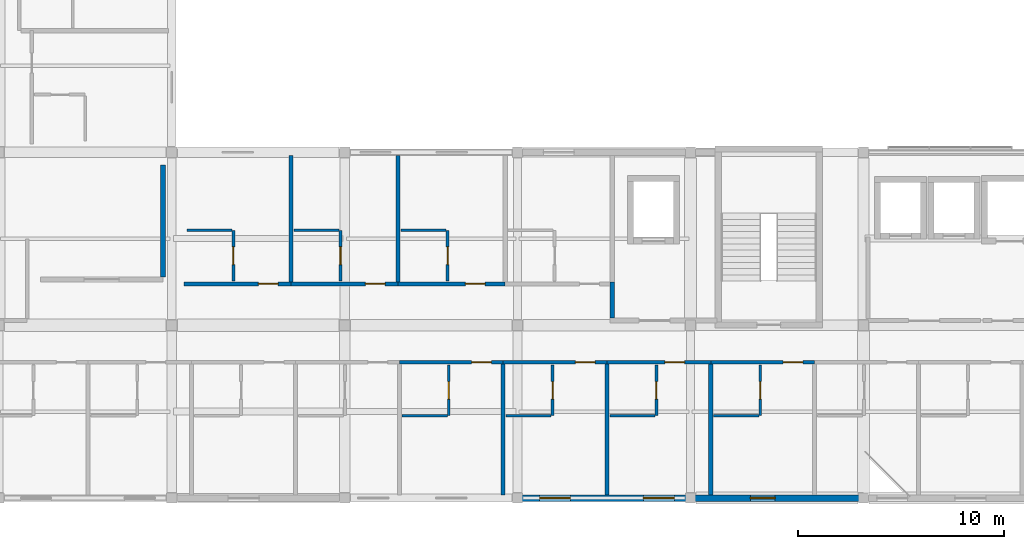
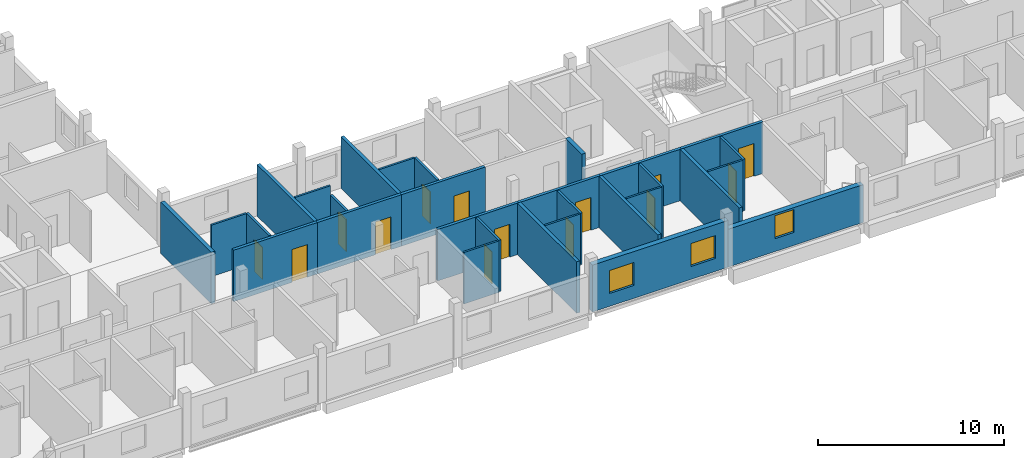
# One storey, part 12 of 20: 30 walls, 14 doors, 3 windows, 17 openings.
"""IFC4 building model written with IfcOpenShell, lengths in metres."""

from ifc_helpers import new_model, si_unit, derived_unit, direction, frame, frame_2d, origin, place, context, subcontext, project, spatial, rectangle, extrude, material, layer, layer_set, type_object, element, fill, save


model = new_model("IFC4")

# Units and contexts
model_context = context("Model", 3, precision=1e-05, world=origin(), true_north=direction((0.0, 1.0)))
body_context = subcontext(model_context, "Body", "Model", "MODEL_VIEW")
ifc_project = project(units=[si_unit("LENGTHUNIT", "METRE"), si_unit("AREAUNIT", "SQUARE_METRE"), si_unit("VOLUMEUNIT", "CUBIC_METRE"), si_unit("PLANEANGLEUNIT", "RADIAN"), si_unit("MASSUNIT", "GRAM", prefix="KILO"), derived_unit("THERMALTRANSMITTANCEUNIT", [(si_unit("POWERUNIT", "WATT"), 1), (si_unit("LENGTHUNIT", "METRE"), -2), (si_unit("THERMODYNAMICTEMPERATUREUNIT", "KELVIN"), -1)])], contexts=[model_context])

# Site, building, storey
site_placement = place(None, origin())
site = spatial("IfcSite", under=ifc_project, at=site_placement, CompositionType="ELEMENT")
building_placement = place(site_placement, origin())
building = spatial("IfcBuilding", under=site, at=building_placement, Name="Barrovel Congress Hotel", CompositionType="ELEMENT")
storey_placement = place(building_placement, frame((0.0, 0.0, 39.89990234375)))
storey = spatial("IfcBuildingStorey", under=building, at=storey_placement, Name="L10", CompositionType="ELEMENT", Elevation=39.89990234375)

# Wall, openings, windows
ifc_material_1 = material(Name="Fired Clay Brick Masonry", Category="masonry")
ifc_layer_1 = layer(ifc_material_1, 0.320068359375)
ifc_layer_set_1 = layer_set([ifc_layer_1], Name="Fired Clay Brick Masonry")
wall_type_1 = type_object("IfcWallType", Name="EW-BRK320", PredefinedType="STANDARD", material=ifc_layer_set_1)
wall_1_placement = place(storey_placement, frame((67.199951171875, 4.199951171875, 0.0), z_axis=(0.0, 0.0, 1.0), x_axis=(1.0, 0.0, 0.0)))
wall_1 = element("IfcWall", 1, at=wall_1_placement, inside=storey, type_object=wall_type_1, Name="EW:L10:HS-S:P06", PredefinedType="STANDARD", context=body_context, shape_type="SweptSolid", body=[
    extrude(rectangle(XDim=8.400146484375, YDim=0.320068359375, at=frame_2d((4.2001953125, 0.0))), origin(), (0.0, 0.0, 1.0), 3.070068359375),
])
opening_1_placement = place(wall_1_placement, frame((1.071533203125, 0.0, 0.85009765625)))
opening_1 = element("IfcOpeningElement", 2, at=opening_1_placement, cuts=wall_1, Name="Opening WN-07", PredefinedType="OPENING", context=body_context, shape_type="SweptSolid", body=[
    extrude(rectangle(XDim=1.5, YDim=1.5, at=frame_2d((0.75, 0.75))), frame((0.0, 0.169921875, 0.0), z_axis=(0.0, -1.0, 0.0), x_axis=(1.0, 0.0, 0.0)), (0.0, 0.0, 1.0), 0.340087890625),
])
opening_2_placement = place(wall_1_placement, frame((6.1142578125, 0.0, 0.85009765625)))
opening_2 = element("IfcOpeningElement", 3, at=opening_2_placement, cuts=wall_1, Name="Opening WN-07", PredefinedType="OPENING", context=body_context, shape_type="SweptSolid", body=[
    extrude(rectangle(XDim=1.5, YDim=1.5, at=frame_2d((0.75, 0.75))), frame((0.0, 0.169921875, 0.0), z_axis=(0.0, -1.0, 0.0), x_axis=(1.0, 0.0, 0.0)), (0.0, 0.0, 1.0), 0.340087890625),
])
ifc_material_2 = material(Name="Double Low-E Insulated Glazing", Category="glass")
window_type_1 = type_object("IfcWindowType", Name="WIN-WN-07", PartitioningType="SINGLE_PANEL", PredefinedType="WINDOW", material=ifc_material_2)
window_1_placement = place(opening_1_placement, origin())
window_1 = element("IfcWindow", 4, at=window_1_placement, inside=storey, type_object=window_type_1, Name="WIN:L10:U09", OverallHeight=1.5, OverallWidth=1.5, PartitioningType="SINGLE_PANEL", PredefinedType="WINDOW", context=body_context, shape_type="SweptSolid", body=[
    extrude(rectangle(XDim=1.5, YDim=1.5, at=frame_2d((0.75, 0.75))), frame((0.0, 0.030029296875, 0.0), z_axis=(0.0, -1.0, 0.0), x_axis=(1.0, 0.0, 0.0)), (0.0, 0.0, 1.0), 0.06005859375),
])
fill(opening_1, window_1)
window_2_placement = place(opening_2_placement, origin())
window_2 = element("IfcWindow", 5, at=window_2_placement, inside=storey, type_object=window_type_1, Name="WIN:L10:U10", OverallHeight=1.5, OverallWidth=1.5, PartitioningType="SINGLE_PANEL", PredefinedType="WINDOW", context=body_context, shape_type="SweptSolid", body=[
    extrude(rectangle(XDim=1.5, YDim=1.5, at=frame_2d((0.75, 0.75))), frame((0.0, 0.030029296875, 0.0), z_axis=(0.0, -1.0, 0.0), x_axis=(1.0, 0.0, 0.0)), (0.0, 0.0, 1.0), 0.06005859375),
])
fill(opening_2, window_2)

# Wall, opening, window
wall_2_placement = place(storey_placement, frame((75.60009765625, 4.199951171875, 0.0), z_axis=(0.0, 0.0, 1.0), x_axis=(1.0, 0.0, 0.0)))
wall_2 = element("IfcWall", 6, at=wall_2_placement, inside=storey, type_object=wall_type_1, Name="EW:L10:HS-S:P07", PredefinedType="STANDARD", context=body_context, shape_type="SweptSolid", body=[
    extrude(rectangle(XDim=8.39990234375, YDim=0.320068359375, at=frame_2d((4.199951171875, 0.0))), origin(), (0.0, 0.0, 1.0), 2.47998046875),
])
opening_3_placement = place(wall_2_placement, frame((2.9072265625, 0.0, 0.85009765625)))
opening_3 = element("IfcOpeningElement", 7, at=opening_3_placement, cuts=wall_2, Name="Opening WN-06", PredefinedType="OPENING", context=body_context, shape_type="SweptSolid", body=[
    extrude(rectangle(XDim=1.199951171875, YDim=1.5, at=frame_2d((0.60009765625, 0.75))), frame((0.0, 0.169921875, 0.0), z_axis=(0.0, -1.0, 0.0), x_axis=(1.0, 0.0, 0.0)), (0.0, 0.0, 1.0), 0.340087890625),
])
window_type_2 = type_object("IfcWindowType", Name="WIN-WN-06", PartitioningType="SINGLE_PANEL", PredefinedType="WINDOW", material=ifc_material_2)
window_3_placement = place(opening_3_placement, origin())
window_3 = element("IfcWindow", 8, at=window_3_placement, inside=storey, type_object=window_type_2, Name="WIN:L10:U11", OverallHeight=1.5, OverallWidth=1.199951171875, PartitioningType="SINGLE_PANEL", PredefinedType="WINDOW", context=body_context, shape_type="SweptSolid", body=[
    extrude(rectangle(XDim=1.199951171875, YDim=1.5, at=frame_2d((0.60009765625, 0.75))), frame((0.0, 0.030029296875, 0.0), z_axis=(0.0, -1.0, 0.0), x_axis=(1.0, 0.0, 0.0)), (0.0, 0.0, 1.0), 0.06005859375),
])
fill(opening_3, window_3)

# Wall, opening, door
ifc_material_3 = material(Name="Gypsum Acoustic Stud", Category="gypsum")
ifc_layer_2 = layer(ifc_material_3, 0.179931640625)
ifc_layer_set_2 = layer_set([ifc_layer_2], Name="Gypsum Acoustic Stud")
wall_type_2 = type_object("IfcWallType", Name="PW-ACU-180", PredefinedType="PARTITIONING", material=ifc_layer_set_2)
wall_3_placement = place(storey_placement, frame((61.45703125, 10.800048828125, 0.0), z_axis=(0.0, 0.0, 1.0), x_axis=(1.0, 0.0, 0.0)))
wall_3 = element("IfcWall", 9, at=wall_3_placement, inside=storey, type_object=wall_type_2, Name="PW:L10:U08:COR", PredefinedType="PARTITIONING", context=body_context, shape_type="SweptSolid", body=[
    extrude(rectangle(XDim=5.04296875, YDim=0.179931640625, at=frame_2d((2.521484375, 0.0))), origin(), (0.0, 0.0, 1.0), 3.375),
])
opening_4_placement = place(wall_3_placement, frame((3.513671875, 0.0, 0.0)))
opening_4 = element("IfcOpeningElement", 10, at=opening_4_placement, cuts=wall_3, Name="Opening ID-HTL", PredefinedType="OPENING", context=body_context, shape_type="SweptSolid", body=[
    extrude(rectangle(XDim=0.9599609375, YDim=2.14990234375, at=frame_2d((0.47998046875, 1.074951171875))), frame((0.0, 0.10009765625, 0.0), z_axis=(0.0, -1.0, 0.0), x_axis=(1.0, 0.0, 0.0)), (0.0, 0.0, 1.0), 0.199951171875),
])
ifc_material_4 = material(Name="Solid Oak Acoustic Timber Door", Category="wood")
door_type_1 = type_object("IfcDoorType", Name="IDR-ID-HTL", OperationType="NOTDEFINED", PredefinedType="DOOR", material=ifc_material_4)
door_1_placement = place(opening_4_placement, origin())
door_1 = element("IfcDoor", 11, at=door_1_placement, inside=storey, type_object=door_type_1, Name="DR:L10:U08:ENT", OperationType="SINGLE_SWING_RIGHT", OverallHeight=2.14990234375, OverallWidth=0.9599609375, PredefinedType="DOOR", context=body_context, shape_type="SweptSolid", body=[
    extrude(rectangle(XDim=0.9599609375, YDim=2.14990234375, at=frame_2d((0.47998046875, 1.074951171875))), frame((0.0, 0.02490234375, 0.0), z_axis=(0.0, -1.0, 0.0), x_axis=(1.0, 0.0, 0.0)), (0.0, 0.0, 1.0), 0.050048828125),
])
fill(opening_4, door_1)

wall_4_placement = place(storey_placement, frame((66.5, 10.800048828125, 0.0), z_axis=(0.0, 0.0, 1.0), x_axis=(1.0, 0.0, 0.0)))
wall_4 = element("IfcWall", 12, at=wall_4_placement, inside=storey, type_object=wall_type_2, Name="PW:L10:U09:COR", PredefinedType="PARTITIONING", context=body_context, shape_type="SweptSolid", body=[
    extrude(rectangle(XDim=5.04296875, YDim=0.179931640625, at=frame_2d((2.521484375, 0.0))), origin(), (0.0, 0.0, 1.0), 3.375),
])
opening_5_placement = place(wall_4_placement, frame((3.513671875, 0.0, 0.0)))
opening_5 = element("IfcOpeningElement", 13, at=opening_5_placement, cuts=wall_4, Name="Opening ID-HTL", PredefinedType="OPENING", context=body_context, shape_type="SweptSolid", body=[
    extrude(rectangle(XDim=0.9599609375, YDim=2.14990234375, at=frame_2d((0.47998046875, 1.074951171875))), frame((0.0, 0.10009765625, 0.0), z_axis=(0.0, -1.0, 0.0), x_axis=(1.0, 0.0, 0.0)), (0.0, 0.0, 1.0), 0.199951171875),
])
door_2_placement = place(opening_5_placement, origin())
door_2 = element("IfcDoor", 14, at=door_2_placement, inside=storey, type_object=door_type_1, Name="DR:L10:U09:ENT", OperationType="SINGLE_SWING_RIGHT", OverallHeight=2.14990234375, OverallWidth=0.9599609375, PredefinedType="DOOR", context=body_context, shape_type="SweptSolid", body=[
    extrude(rectangle(XDim=0.9599609375, YDim=2.14990234375, at=frame_2d((0.47998046875, 1.074951171875))), frame((0.0, 0.02490234375, 0.0), z_axis=(0.0, -1.0, 0.0), x_axis=(1.0, 0.0, 0.0)), (0.0, 0.0, 1.0), 0.050048828125),
])
fill(opening_5, door_2)

wall_5_placement = place(storey_placement, frame((71.54296875, 10.800048828125, 0.0), z_axis=(0.0, 0.0, 1.0), x_axis=(1.0, 0.0, 0.0)))
wall_5 = element("IfcWall", 15, at=wall_5_placement, inside=storey, type_object=wall_type_2, Name="PW:L10:U10:COR", PredefinedType="PARTITIONING", context=body_context, shape_type="SweptSolid", body=[
    extrude(rectangle(XDim=5.042724609375, YDim=0.179931640625, at=frame_2d((2.521484375, 0.0))), origin(), (0.0, 0.0, 1.0), 3.375),
])
opening_6_placement = place(wall_5_placement, frame((2.8134765625, 0.0, 0.0)))
opening_6 = element("IfcOpeningElement", 16, at=opening_6_placement, cuts=wall_5, Name="Opening ID-HTL", PredefinedType="OPENING", context=body_context, shape_type="SweptSolid", body=[
    extrude(rectangle(XDim=0.9599609375, YDim=2.14990234375, at=frame_2d((0.47998046875, 1.074951171875))), frame((0.0, 0.10009765625, 0.0), z_axis=(0.0, -1.0, 0.0), x_axis=(1.0, 0.0, 0.0)), (0.0, 0.0, 1.0), 0.199951171875),
])
door_3_placement = place(opening_6_placement, origin())
door_3 = element("IfcDoor", 17, at=door_3_placement, inside=storey, type_object=door_type_1, Name="DR:L10:U10:ENT", OperationType="SINGLE_SWING_RIGHT", OverallHeight=2.14990234375, OverallWidth=0.9599609375, PredefinedType="DOOR", context=body_context, shape_type="SweptSolid", body=[
    extrude(rectangle(XDim=0.9599609375, YDim=2.14990234375, at=frame_2d((0.47998046875, 1.074951171875))), frame((0.0, 0.02490234375, 0.0), z_axis=(0.0, -1.0, 0.0), x_axis=(1.0, 0.0, 0.0)), (0.0, 0.0, 1.0), 0.050048828125),
])
fill(opening_6, door_3)

wall_6_placement = place(storey_placement, frame((76.585693359375, 10.800048828125, 0.0), z_axis=(0.0, 0.0, 1.0), x_axis=(1.0, 0.0, 0.0)))
wall_6 = element("IfcWall", 18, at=wall_6_placement, inside=storey, type_object=wall_type_2, Name="PW:L10:U11:COR", PredefinedType="PARTITIONING", context=body_context, shape_type="SweptSolid", body=[
    extrude(rectangle(XDim=5.04296875, YDim=0.179931640625, at=frame_2d((2.521484375, 0.0))), origin(), (0.0, 0.0, 1.0), 3.375),
])
opening_7_placement = place(wall_6_placement, frame((3.513671875, 0.0, 0.0)))
opening_7 = element("IfcOpeningElement", 19, at=opening_7_placement, cuts=wall_6, Name="Opening ID-HTL", PredefinedType="OPENING", context=body_context, shape_type="SweptSolid", body=[
    extrude(rectangle(XDim=0.9599609375, YDim=2.14990234375, at=frame_2d((0.47998046875, 1.074951171875))), frame((0.0, 0.10009765625, 0.0), z_axis=(0.0, -1.0, 0.0), x_axis=(1.0, 0.0, 0.0)), (0.0, 0.0, 1.0), 0.199951171875),
])
door_4_placement = place(opening_7_placement, origin())
door_4 = element("IfcDoor", 20, at=door_4_placement, inside=storey, type_object=door_type_1, Name="DR:L10:U11:ENT", OperationType="SINGLE_SWING_RIGHT", OverallHeight=2.14990234375, OverallWidth=0.9599609375, PredefinedType="DOOR", context=body_context, shape_type="SweptSolid", body=[
    extrude(rectangle(XDim=0.9599609375, YDim=2.14990234375, at=frame_2d((0.47998046875, 1.074951171875))), frame((0.0, 0.02490234375, 0.0), z_axis=(0.0, -1.0, 0.0), x_axis=(1.0, 0.0, 0.0)), (0.0, 0.0, 1.0), 0.050048828125),
])
fill(opening_7, door_4)

wall_7_placement = place(storey_placement, frame((51.0, 14.60009765625, 0.0), z_axis=(0.0, 0.0, 1.0), x_axis=(1.0, 0.0, 0.0)))
wall_7 = element("IfcWall", 21, at=wall_7_placement, inside=storey, type_object=wall_type_2, Name="PW:L10:U18:COR", PredefinedType="PARTITIONING", context=body_context, shape_type="SweptSolid", body=[
    extrude(rectangle(XDim=5.199951171875, YDim=0.179931640625, at=frame_2d((2.60009765625, 0.0))), origin(), (0.0, 0.0, 1.0), 3.375),
])
opening_8_placement = place(wall_7_placement, frame((3.611083984375, 0.0, 0.0)))
opening_8 = element("IfcOpeningElement", 22, at=opening_8_placement, cuts=wall_7, Name="Opening ID-HTL", PredefinedType="OPENING", context=body_context, shape_type="SweptSolid", body=[
    extrude(rectangle(XDim=0.9599609375, YDim=2.14990234375, at=frame_2d((0.47998046875, 1.074951171875))), frame((0.0, 0.10009765625, 0.0), z_axis=(0.0, -1.0, 0.0), x_axis=(1.0, 0.0, 0.0)), (0.0, 0.0, 1.0), 0.199951171875),
])
door_5_placement = place(opening_8_placement, origin())
door_5 = element("IfcDoor", 23, at=door_5_placement, inside=storey, type_object=door_type_1, Name="DR:L10:U18:ENT", OperationType="SINGLE_SWING_RIGHT", OverallHeight=2.14990234375, OverallWidth=0.9599609375, PredefinedType="DOOR", context=body_context, shape_type="SweptSolid", body=[
    extrude(rectangle(XDim=0.9599609375, YDim=2.14990234375, at=frame_2d((0.47998046875, 1.074951171875))), frame((0.0, 0.02490234375, 0.0), z_axis=(0.0, -1.0, 0.0), x_axis=(1.0, 0.0, 0.0)), (0.0, 0.0, 1.0), 0.050048828125),
])
fill(opening_8, door_5)

wall_8_placement = place(storey_placement, frame((56.199951171875, 14.60009765625, 0.0), z_axis=(0.0, 0.0, 1.0), x_axis=(1.0, 0.0, 0.0)))
wall_8 = element("IfcWall", 24, at=wall_8_placement, inside=storey, type_object=wall_type_2, Name="PW:L10:U19:COR", PredefinedType="PARTITIONING", context=body_context, shape_type="SweptSolid", body=[
    extrude(rectangle(XDim=5.199951171875, YDim=0.179931640625, at=frame_2d((2.60009765625, 0.0))), origin(), (0.0, 0.0, 1.0), 3.375),
])
opening_9_placement = place(wall_8_placement, frame((3.611083984375, 0.0, 0.0)))
opening_9 = element("IfcOpeningElement", 25, at=opening_9_placement, cuts=wall_8, Name="Opening ID-HTL", PredefinedType="OPENING", context=body_context, shape_type="SweptSolid", body=[
    extrude(rectangle(XDim=0.9599609375, YDim=2.14990234375, at=frame_2d((0.47998046875, 1.074951171875))), frame((0.0, 0.10009765625, 0.0), z_axis=(0.0, -1.0, 0.0), x_axis=(1.0, 0.0, 0.0)), (0.0, 0.0, 1.0), 0.199951171875),
])
door_6_placement = place(opening_9_placement, origin())
door_6 = element("IfcDoor", 26, at=door_6_placement, inside=storey, type_object=door_type_1, Name="DR:L10:U19:ENT", OperationType="SINGLE_SWING_RIGHT", OverallHeight=2.14990234375, OverallWidth=0.9599609375, PredefinedType="DOOR", context=body_context, shape_type="SweptSolid", body=[
    extrude(rectangle(XDim=0.9599609375, YDim=2.14990234375, at=frame_2d((0.47998046875, 1.074951171875))), frame((0.0, 0.02490234375, 0.0), z_axis=(0.0, -1.0, 0.0), x_axis=(1.0, 0.0, 0.0)), (0.0, 0.0, 1.0), 0.050048828125),
])
fill(opening_9, door_6)

wall_9_placement = place(storey_placement, frame((61.39990234375, 14.60009765625, 0.0), z_axis=(0.0, 0.0, 1.0), x_axis=(1.0, 0.0, 0.0)))
wall_9 = element("IfcWall", 27, at=wall_9_placement, inside=storey, type_object=wall_type_2, Name="PW:L10:U20:COR", PredefinedType="PARTITIONING", context=body_context, shape_type="SweptSolid", body=[
    extrude(rectangle(XDim=5.2001953125, YDim=0.179931640625, at=frame_2d((2.60009765625, 0.0))), origin(), (0.0, 0.0, 1.0), 3.375),
])
opening_10_placement = place(wall_9_placement, frame((3.260986328125, 0.0, 0.0)))
opening_10 = element("IfcOpeningElement", 28, at=opening_10_placement, cuts=wall_9, Name="Opening ID-HTL", PredefinedType="OPENING", context=body_context, shape_type="SweptSolid", body=[
    extrude(rectangle(XDim=0.9599609375, YDim=2.14990234375, at=frame_2d((0.47998046875, 1.074951171875))), frame((0.0, 0.10009765625, 0.0), z_axis=(0.0, -1.0, 0.0), x_axis=(1.0, 0.0, 0.0)), (0.0, 0.0, 1.0), 0.199951171875),
])
door_7_placement = place(opening_10_placement, origin())
door_7 = element("IfcDoor", 29, at=door_7_placement, inside=storey, type_object=door_type_1, Name="DR:L10:U20:ENT", OperationType="SINGLE_SWING_RIGHT", OverallHeight=2.14990234375, OverallWidth=0.9599609375, PredefinedType="DOOR", context=body_context, shape_type="SweptSolid", body=[
    extrude(rectangle(XDim=0.9599609375, YDim=2.14990234375, at=frame_2d((0.47998046875, 1.074951171875))), frame((0.0, 0.02490234375, 0.0), z_axis=(0.0, -1.0, 0.0), x_axis=(1.0, 0.0, 0.0)), (0.0, 0.0, 1.0), 0.050048828125),
])
fill(opening_10, door_7)

# Walls
ifc_layer_3 = layer(ifc_material_3, 0.1201171875)
ifc_layer_set_3 = layer_set([ifc_layer_3], Name="Gypsum Acoustic Stud")
wall_type_3 = type_object("IfcWallType", Name="PW-INT-120", PredefinedType="PARTITIONING", material=ifc_layer_set_3)
wall_10_placement = place(storey_placement, frame((61.59716796875, 8.199951171875, 0.0), z_axis=(0.0, 0.0, 1.0), x_axis=(1.0, 0.0, 0.0)))
element("IfcWall", 30, at=wall_10_placement, inside=storey, type_object=wall_type_3, Name="PW:L10:U08:B2", PredefinedType="PARTITIONING", context=body_context, shape_type="SweptSolid", body=[
    extrude(rectangle(XDim=2.18994140625, YDim=0.1201171875, at=frame_2d((1.094970703125, 0.0))), origin(), (0.0, 0.0, 1.0), 3.375),
])
wall_11_placement = place(storey_placement, frame((66.639892578125, 8.199951171875, 0.0), z_axis=(0.0, 0.0, 1.0), x_axis=(1.0, 0.0, 0.0)))
element("IfcWall", 31, at=wall_11_placement, inside=storey, type_object=wall_type_3, Name="PW:L10:U09:B2", PredefinedType="PARTITIONING", context=body_context, shape_type="SweptSolid", body=[
    extrude(rectangle(XDim=2.190185546875, YDim=0.1201171875, at=frame_2d((1.09521484375, 0.0))), origin(), (0.0, 0.0, 1.0), 3.375),
])
wall_12_placement = place(storey_placement, frame((71.682861328125, 8.199951171875, 0.0), z_axis=(0.0, 0.0, 1.0), x_axis=(1.0, 0.0, 0.0)))
element("IfcWall", 32, at=wall_12_placement, inside=storey, type_object=wall_type_3, Name="PW:L10:U10:B2", PredefinedType="PARTITIONING", context=body_context, shape_type="SweptSolid", body=[
    extrude(rectangle(XDim=2.18994140625, YDim=0.1201171875, at=frame_2d((1.094970703125, 0.0))), origin(), (0.0, 0.0, 1.0), 3.375),
])
for number, where, z_axis, x_axis, name in (
    (33, (76.7255859375, 8.199951171875, 0.0), (0.0, 0.0, 1.0), (1.0, 0.0, 0.0), "PW:L10:U11:B2"),
    (34, (51.139892578125, 17.199951171875, 0.0), (0.0, 0.0, 1.0), (1.0, 0.0, 0.0), "PW:L10:U18:B2"),
):
    element("IfcWall", number, at=place(storey_placement, frame(where, z_axis=z_axis, x_axis=x_axis)), inside=storey, type_object=wall_type_3, Name=name, PredefinedType="PARTITIONING", context=body_context, shape_type="SweptSolid", body=[
        extrude(rectangle(XDim=2.190185546875, YDim=0.1201171875, at=frame_2d((1.09521484375, 0.0))), origin(), (0.0, 0.0, 1.0), 3.375),
    ])
for number, where, z_axis, x_axis, name in (
    (35, (56.340087890625, 17.199951171875, 0.0), (0.0, 0.0, 1.0), (1.0, 0.0, 0.0), "PW:L10:U19:B2"),
    (36, (61.5400390625, 17.199951171875, 0.0), (0.0, 0.0, 1.0), (1.0, 0.0, 0.0), "PW:L10:U20:B2"),
):
    element("IfcWall", number, at=place(storey_placement, frame(where, z_axis=z_axis, x_axis=x_axis)), inside=storey, type_object=wall_type_3, Name=name, PredefinedType="PARTITIONING", context=body_context, shape_type="SweptSolid", body=[
        extrude(rectangle(XDim=2.18994140625, YDim=0.1201171875, at=frame_2d((1.094970703125, 0.0))), origin(), (0.0, 0.0, 1.0), 3.375),
    ])
ifc_layer_4 = layer(ifc_material_1, 0.199951171875)
ifc_layer_set_4 = layer_set([ifc_layer_4], Name="Fired Clay Brick Masonry")
wall_type_4 = type_object("IfcWallType", Name="PW-MAS-200", PredefinedType="PARTITIONING", material=ifc_layer_set_4)
for number, where, z_axis, x_axis, name in (
    (37, (66.5, 4.360107421875, 0.0), (0.0, 0.0, 1.0), (0.0, 1.0, 0.0), "PW:L10:U08:DEM"),
    (38, (71.54296875, 4.360107421875, 0.0), (0.0, 0.0, 1.0), (0.0, 1.0, 0.0), "PW:L10:U09:DEM"),
    (39, (76.585693359375, 4.360107421875, 0.0), (0.0, 0.0, 1.0), (0.0, 1.0, 0.0), "PW:L10:U10:DEM"),
):
    element("IfcWall", number, at=place(storey_placement, frame(where, z_axis=z_axis, x_axis=x_axis)), inside=storey, type_object=wall_type_4, Name=name, PredefinedType="PARTITIONING", context=body_context, shape_type="SweptSolid", body=[
        extrude(rectangle(XDim=6.349853515625, YDim=0.199951171875, at=frame_2d((3.1748046875, 0.0))), origin(), (0.0, 0.0, 1.0), 3.375),
    ])
for number, where, z_axis, x_axis, name in (
    (40, (56.199951171875, 14.68994140625, 0.0), (0.0, 0.0, 1.0), (0.0, 1.0, 0.0), "PW:L10:U18:DEM"),
    (41, (61.39990234375, 14.68994140625, 0.0), (0.0, 0.0, 1.0), (0.0, 1.0, 0.0), "PW:L10:U19:DEM"),
):
    element("IfcWall", number, at=place(storey_placement, frame(where, z_axis=z_axis, x_axis=x_axis)), inside=storey, type_object=wall_type_4, Name=name, PredefinedType="PARTITIONING", context=body_context, shape_type="SweptSolid", body=[
        extrude(rectangle(XDim=6.150146484375, YDim=0.199951171875, at=frame_2d((3.0751953125, 0.0))), origin(), (0.0, 0.0, 1.0), 3.375),
    ])
ifc_layer_5 = layer(ifc_material_1, 0.239990234375)
ifc_layer_set_5 = layer_set([ifc_layer_5], Name="Fired Clay Brick Masonry")
wall_type_5 = type_object("IfcWallType", Name="PW-MAS-240", PredefinedType="PARTITIONING", material=ifc_layer_set_5)
wall_13_placement = place(storey_placement, frame((71.800048828125, 12.93994140625, 0.0), z_axis=(0.0, 0.0, 1.0), x_axis=(0.0, 1.0, 0.0)))
element("IfcWall", 42, at=wall_13_placement, inside=storey, type_object=wall_type_5, Name="RW:SP:L10:FFL-2:W", PredefinedType="PARTITIONING", context=body_context, shape_type="SweptSolid", body=[
    extrude(rectangle(XDim=1.75, YDim=0.239990234375, at=frame_2d((0.875, 0.0))), origin(), (0.0, 0.0, 1.0), 3.375),
])
wall_14_placement = place(storey_placement, frame((49.97998046875, 14.93994140625, 0.0), z_axis=(0.0, 0.0, 1.0), x_axis=(0.0, 1.0, 0.0)))
element("IfcWall", 43, at=wall_14_placement, inside=storey, type_object=wall_type_5, Name="RW:SP:L10:LINEN:E", PredefinedType="PARTITIONING", context=body_context, shape_type="SweptSolid", body=[
    extrude(rectangle(XDim=5.43994140625, YDim=0.239990234375, at=frame_2d((2.719970703125, 0.0))), origin(), (0.0, 0.0, 1.0), 3.375),
])

# Wall, opening, door
ifc_material_5 = material(Name="Gypsum Moisture Board", Category="gypsum")
ifc_layer_6 = layer(ifc_material_5, 0.139892578125)
ifc_layer_set_6 = layer_set([ifc_layer_6], Name="Gypsum Moisture Board")
wall_type_6 = type_object("IfcWallType", Name="PW-WET-140", PredefinedType="PARTITIONING", material=ifc_layer_set_6)
wall_15_placement = place(storey_placement, frame((63.857177734375, 8.199951171875, 0.0), z_axis=(0.0, 0.0, 1.0), x_axis=(0.0, 1.0, 0.0)))
wall_15 = element("IfcWall", 44, at=wall_15_placement, inside=storey, type_object=wall_type_6, Name="PW:L10:U08:B1", PredefinedType="PARTITIONING", context=body_context, shape_type="SweptSolid", body=[
    extrude(rectangle(XDim=2.4599609375, YDim=0.139892578125, at=frame_2d((1.22998046875, 0.0))), origin(), (0.0, 0.0, 1.0), 3.375),
])
opening_11_placement = place(wall_15_placement, frame((0.800048828125, 0.0, 0.0)))
opening_11 = element("IfcOpeningElement", 45, at=opening_11_placement, cuts=wall_15, Name="Opening ID-ENS", PredefinedType="OPENING", context=body_context, shape_type="SweptSolid", body=[
    extrude(rectangle(XDim=0.860107421875, YDim=2.10009765625, at=frame_2d((0.43017578125, 1.050048828125))), frame((0.0, 0.080078125, 0.0), z_axis=(0.0, -1.0, 0.0), x_axis=(1.0, 0.0, 0.0)), (0.0, 0.0, 1.0), 0.159912109375),
])
ifc_material_6 = material(Name="Lacquered Timber Moisture Door", Category="wood")
door_type_2 = type_object("IfcDoorType", Name="IDR-ID-ENS", OperationType="NOTDEFINED", PredefinedType="DOOR", material=ifc_material_6)
door_8_placement = place(opening_11_placement, origin())
door_8 = element("IfcDoor", 46, at=door_8_placement, inside=storey, type_object=door_type_2, Name="DR:L10:U08:ENS", OperationType="SINGLE_SWING_LEFT", OverallHeight=2.10009765625, OverallWidth=0.860107421875, PredefinedType="DOOR", context=body_context, shape_type="SweptSolid", body=[
    extrude(rectangle(XDim=0.860107421875, YDim=2.10009765625, at=frame_2d((0.43017578125, 1.050048828125))), frame((0.0, 0.02490234375, 0.0), z_axis=(0.0, -1.0, 0.0), x_axis=(1.0, 0.0, 0.0)), (0.0, 0.0, 1.0), 0.050048828125),
])
fill(opening_11, door_8)

wall_16_placement = place(storey_placement, frame((68.89990234375, 8.199951171875, 0.0), z_axis=(0.0, 0.0, 1.0), x_axis=(0.0, 1.0, 0.0)))
wall_16 = element("IfcWall", 47, at=wall_16_placement, inside=storey, type_object=wall_type_6, Name="PW:L10:U09:B1", PredefinedType="PARTITIONING", context=body_context, shape_type="SweptSolid", body=[
    extrude(rectangle(XDim=2.4599609375, YDim=0.139892578125, at=frame_2d((1.22998046875, 0.0))), origin(), (0.0, 0.0, 1.0), 3.375),
])
opening_12_placement = place(wall_16_placement, frame((0.800048828125, 0.0, 0.0)))
opening_12 = element("IfcOpeningElement", 48, at=opening_12_placement, cuts=wall_16, Name="Opening ID-ENS", PredefinedType="OPENING", context=body_context, shape_type="SweptSolid", body=[
    extrude(rectangle(XDim=0.860107421875, YDim=2.10009765625, at=frame_2d((0.43017578125, 1.050048828125))), frame((0.0, 0.080078125, 0.0), z_axis=(0.0, -1.0, 0.0), x_axis=(1.0, 0.0, 0.0)), (0.0, 0.0, 1.0), 0.159912109375),
])
door_9_placement = place(opening_12_placement, origin())
door_9 = element("IfcDoor", 49, at=door_9_placement, inside=storey, type_object=door_type_2, Name="DR:L10:U09:ENS", OperationType="SINGLE_SWING_LEFT", OverallHeight=2.10009765625, OverallWidth=0.860107421875, PredefinedType="DOOR", context=body_context, shape_type="SweptSolid", body=[
    extrude(rectangle(XDim=0.860107421875, YDim=2.10009765625, at=frame_2d((0.43017578125, 1.050048828125))), frame((0.0, 0.02490234375, 0.0), z_axis=(0.0, -1.0, 0.0), x_axis=(1.0, 0.0, 0.0)), (0.0, 0.0, 1.0), 0.050048828125),
])
fill(opening_12, door_9)

wall_17_placement = place(storey_placement, frame((73.94287109375, 8.199951171875, 0.0), z_axis=(0.0, 0.0, 1.0), x_axis=(0.0, 1.0, 0.0)))
wall_17 = element("IfcWall", 50, at=wall_17_placement, inside=storey, type_object=wall_type_6, Name="PW:L10:U10:B1", PredefinedType="PARTITIONING", context=body_context, shape_type="SweptSolid", body=[
    extrude(rectangle(XDim=2.4599609375, YDim=0.139892578125, at=frame_2d((1.22998046875, 0.0))), origin(), (0.0, 0.0, 1.0), 3.375),
])
opening_13_placement = place(wall_17_placement, frame((0.800048828125, 0.0, 0.0)))
opening_13 = element("IfcOpeningElement", 51, at=opening_13_placement, cuts=wall_17, Name="Opening ID-ENS", PredefinedType="OPENING", context=body_context, shape_type="SweptSolid", body=[
    extrude(rectangle(XDim=0.860107421875, YDim=2.10009765625, at=frame_2d((0.43017578125, 1.050048828125))), frame((0.0, 0.080078125, 0.0), z_axis=(0.0, -1.0, 0.0), x_axis=(1.0, 0.0, 0.0)), (0.0, 0.0, 1.0), 0.159912109375),
])
door_10_placement = place(opening_13_placement, origin())
door_10 = element("IfcDoor", 52, at=door_10_placement, inside=storey, type_object=door_type_2, Name="DR:L10:U10:ENS", OperationType="SINGLE_SWING_LEFT", OverallHeight=2.10009765625, OverallWidth=0.860107421875, PredefinedType="DOOR", context=body_context, shape_type="SweptSolid", body=[
    extrude(rectangle(XDim=0.860107421875, YDim=2.10009765625, at=frame_2d((0.43017578125, 1.050048828125))), frame((0.0, 0.02490234375, 0.0), z_axis=(0.0, -1.0, 0.0), x_axis=(1.0, 0.0, 0.0)), (0.0, 0.0, 1.0), 0.050048828125),
])
fill(opening_13, door_10)

wall_18_placement = place(storey_placement, frame((78.985595703125, 8.199951171875, 0.0), z_axis=(0.0, 0.0, 1.0), x_axis=(0.0, 1.0, 0.0)))
wall_18 = element("IfcWall", 53, at=wall_18_placement, inside=storey, type_object=wall_type_6, Name="PW:L10:U11:B1", PredefinedType="PARTITIONING", context=body_context, shape_type="SweptSolid", body=[
    extrude(rectangle(XDim=2.4599609375, YDim=0.139892578125, at=frame_2d((1.22998046875, 0.0))), origin(), (0.0, 0.0, 1.0), 3.375),
])
opening_14_placement = place(wall_18_placement, frame((0.800048828125, 0.0, 0.0)))
opening_14 = element("IfcOpeningElement", 54, at=opening_14_placement, cuts=wall_18, Name="Opening ID-ENS", PredefinedType="OPENING", context=body_context, shape_type="SweptSolid", body=[
    extrude(rectangle(XDim=0.860107421875, YDim=2.10009765625, at=frame_2d((0.43017578125, 1.050048828125))), frame((0.0, 0.080078125, 0.0), z_axis=(0.0, -1.0, 0.0), x_axis=(1.0, 0.0, 0.0)), (0.0, 0.0, 1.0), 0.159912109375),
])
door_11_placement = place(opening_14_placement, origin())
door_11 = element("IfcDoor", 55, at=door_11_placement, inside=storey, type_object=door_type_2, Name="DR:L10:U11:ENS", OperationType="SINGLE_SWING_LEFT", OverallHeight=2.10009765625, OverallWidth=0.860107421875, PredefinedType="DOOR", context=body_context, shape_type="SweptSolid", body=[
    extrude(rectangle(XDim=0.860107421875, YDim=2.10009765625, at=frame_2d((0.43017578125, 1.050048828125))), frame((0.0, 0.02490234375, 0.0), z_axis=(0.0, -1.0, 0.0), x_axis=(1.0, 0.0, 0.0)), (0.0, 0.0, 1.0), 0.050048828125),
])
fill(opening_14, door_11)

wall_19_placement = place(storey_placement, frame((53.39990234375, 14.739990234375, 0.0), z_axis=(0.0, 0.0, 1.0), x_axis=(0.0, 1.0, 0.0)))
wall_19 = element("IfcWall", 56, at=wall_19_placement, inside=storey, type_object=wall_type_6, Name="PW:L10:U18:B1", PredefinedType="PARTITIONING", context=body_context, shape_type="SweptSolid", body=[
    extrude(rectangle(XDim=2.4599609375, YDim=0.139892578125, at=frame_2d((1.22998046875, 0.0))), origin(), (0.0, 0.0, 1.0), 3.375),
])
opening_15_placement = place(wall_19_placement, frame((0.800048828125, 0.0, 0.0)))
opening_15 = element("IfcOpeningElement", 57, at=opening_15_placement, cuts=wall_19, Name="Opening ID-ENS", PredefinedType="OPENING", context=body_context, shape_type="SweptSolid", body=[
    extrude(rectangle(XDim=0.860107421875, YDim=2.10009765625, at=frame_2d((0.43017578125, 1.050048828125))), frame((0.0, 0.080078125, 0.0), z_axis=(0.0, -1.0, 0.0), x_axis=(1.0, 0.0, 0.0)), (0.0, 0.0, 1.0), 0.159912109375),
])
door_12_placement = place(opening_15_placement, origin())
door_12 = element("IfcDoor", 58, at=door_12_placement, inside=storey, type_object=door_type_2, Name="DR:L10:U18:ENS", OperationType="SINGLE_SWING_LEFT", OverallHeight=2.10009765625, OverallWidth=0.860107421875, PredefinedType="DOOR", context=body_context, shape_type="SweptSolid", body=[
    extrude(rectangle(XDim=0.860107421875, YDim=2.10009765625, at=frame_2d((0.43017578125, 1.050048828125))), frame((0.0, 0.02490234375, 0.0), z_axis=(0.0, -1.0, 0.0), x_axis=(1.0, 0.0, 0.0)), (0.0, 0.0, 1.0), 0.050048828125),
])
fill(opening_15, door_12)

wall_20_placement = place(storey_placement, frame((58.60009765625, 14.739990234375, 0.0), z_axis=(0.0, 0.0, 1.0), x_axis=(0.0, 1.0, 0.0)))
wall_20 = element("IfcWall", 59, at=wall_20_placement, inside=storey, type_object=wall_type_6, Name="PW:L10:U19:B1", PredefinedType="PARTITIONING", context=body_context, shape_type="SweptSolid", body=[
    extrude(rectangle(XDim=2.4599609375, YDim=0.139892578125, at=frame_2d((1.22998046875, 0.0))), origin(), (0.0, 0.0, 1.0), 2.72998046875),
])
opening_16_placement = place(wall_20_placement, frame((0.800048828125, 0.0, 0.0)))
opening_16 = element("IfcOpeningElement", 60, at=opening_16_placement, cuts=wall_20, Name="Opening ID-ENS", PredefinedType="OPENING", context=body_context, shape_type="SweptSolid", body=[
    extrude(rectangle(XDim=0.860107421875, YDim=2.10009765625, at=frame_2d((0.43017578125, 1.050048828125))), frame((0.0, 0.080078125, 0.0), z_axis=(0.0, -1.0, 0.0), x_axis=(1.0, 0.0, 0.0)), (0.0, 0.0, 1.0), 0.159912109375),
])
door_13_placement = place(opening_16_placement, origin())
door_13 = element("IfcDoor", 61, at=door_13_placement, inside=storey, type_object=door_type_2, Name="DR:L10:U19:ENS", OperationType="SINGLE_SWING_LEFT", OverallHeight=2.10009765625, OverallWidth=0.860107421875, PredefinedType="DOOR", context=body_context, shape_type="SweptSolid", body=[
    extrude(rectangle(XDim=0.860107421875, YDim=2.10009765625, at=frame_2d((0.43017578125, 1.050048828125))), frame((0.0, 0.02490234375, 0.0), z_axis=(0.0, -1.0, 0.0), x_axis=(1.0, 0.0, 0.0)), (0.0, 0.0, 1.0), 0.050048828125),
])
fill(opening_16, door_13)

wall_21_placement = place(storey_placement, frame((63.800048828125, 14.739990234375, 0.0), z_axis=(0.0, 0.0, 1.0), x_axis=(0.0, 1.0, 0.0)))
wall_21 = element("IfcWall", 62, at=wall_21_placement, inside=storey, type_object=wall_type_6, Name="PW:L10:U20:B1", PredefinedType="PARTITIONING", context=body_context, shape_type="SweptSolid", body=[
    extrude(rectangle(XDim=2.4599609375, YDim=0.139892578125, at=frame_2d((1.22998046875, 0.0))), origin(), (0.0, 0.0, 1.0), 3.375),
])
opening_17_placement = place(wall_21_placement, frame((0.800048828125, 0.0, 0.0)))
opening_17 = element("IfcOpeningElement", 63, at=opening_17_placement, cuts=wall_21, Name="Opening ID-ENS", PredefinedType="OPENING", context=body_context, shape_type="SweptSolid", body=[
    extrude(rectangle(XDim=0.860107421875, YDim=2.10009765625, at=frame_2d((0.43017578125, 1.050048828125))), frame((0.0, 0.080078125, 0.0), z_axis=(0.0, -1.0, 0.0), x_axis=(1.0, 0.0, 0.0)), (0.0, 0.0, 1.0), 0.159912109375),
])
door_14_placement = place(opening_17_placement, origin())
door_14 = element("IfcDoor", 64, at=door_14_placement, inside=storey, type_object=door_type_2, Name="DR:L10:U20:ENS", OperationType="SINGLE_SWING_LEFT", OverallHeight=2.10009765625, OverallWidth=0.860107421875, PredefinedType="DOOR", context=body_context, shape_type="SweptSolid", body=[
    extrude(rectangle(XDim=0.860107421875, YDim=2.10009765625, at=frame_2d((0.43017578125, 1.050048828125))), frame((0.0, 0.02490234375, 0.0), z_axis=(0.0, -1.0, 0.0), x_axis=(1.0, 0.0, 0.0)), (0.0, 0.0, 1.0), 0.050048828125),
])
fill(opening_17, door_14)

save(model, "model.ifc")
